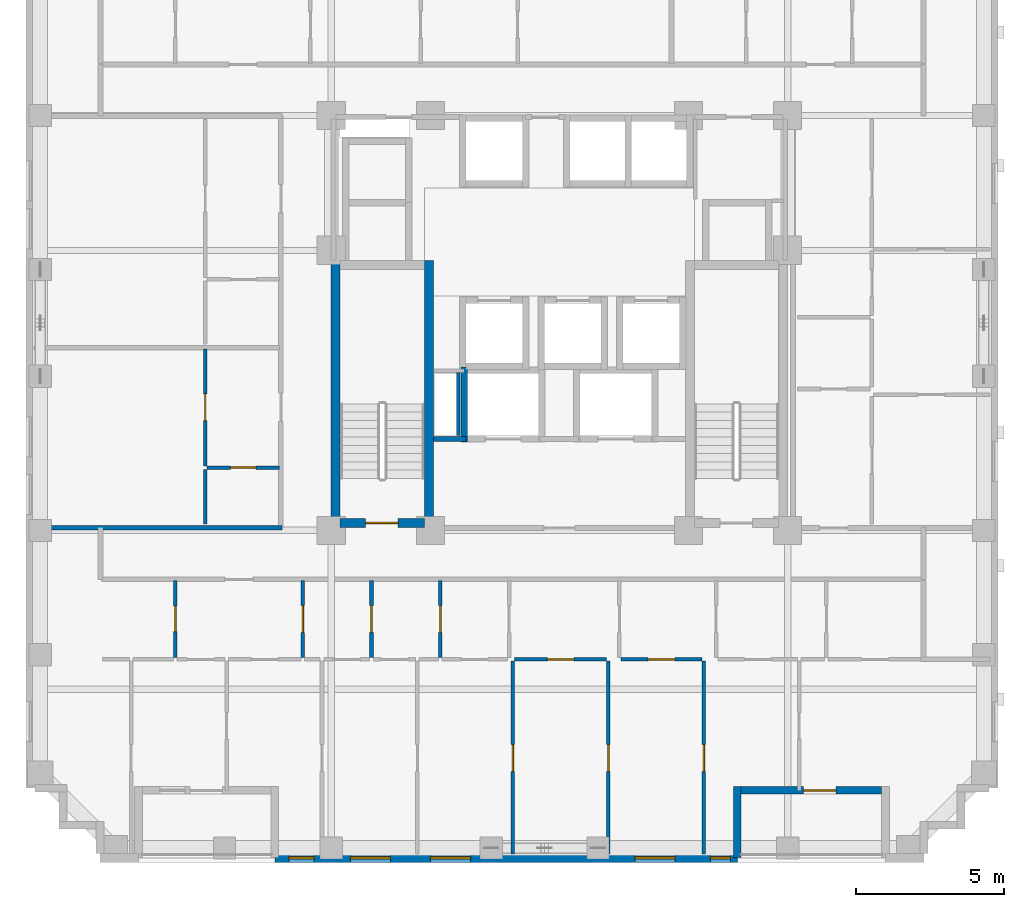
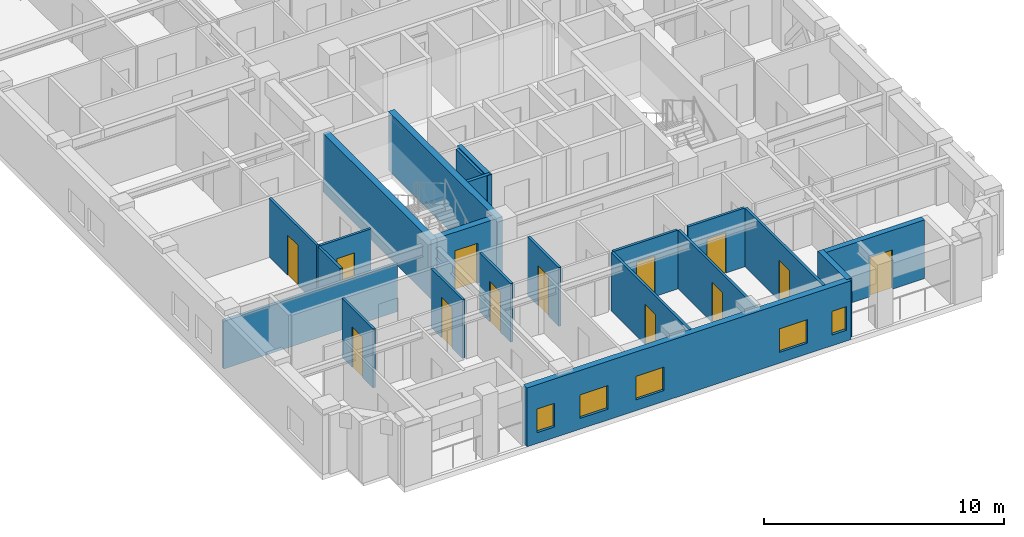
# One storey, part 3 of 12: 22 walls, 13 doors, 5 windows, 18 openings.
"""IFC4 building model written with IfcOpenShell, lengths in metres."""

from ifc_helpers import new_model, si_unit, derived_unit, direction, frame, frame_2d, origin, place, context, subcontext, project, spatial, rectangle, extrude, material, layer, layer_set, type_object, element, fill, save


model = new_model("IFC4")

# Units and contexts
model_context = context("Model", 3, precision=1e-05, world=origin(), true_north=direction((0.0, 1.0)))
body_context = subcontext(model_context, "Body", "Model", "MODEL_VIEW")
ifc_project = project(units=[si_unit("LENGTHUNIT", "METRE"), si_unit("AREAUNIT", "SQUARE_METRE"), si_unit("VOLUMEUNIT", "CUBIC_METRE"), si_unit("PLANEANGLEUNIT", "RADIAN"), si_unit("MASSUNIT", "GRAM", prefix="KILO"), derived_unit("THERMALTRANSMITTANCEUNIT", [(si_unit("MASSUNIT", "GRAM", prefix="KILO"), 1), (si_unit("TIMEUNIT", "SECOND"), -3), (si_unit("THERMODYNAMICTEMPERATUREUNIT", "KELVIN"), -1)])], contexts=[model_context])

# Site, building, storey
site_placement = place(None, origin())
site = spatial("IfcSite", under=ifc_project, at=site_placement, CompositionType="ELEMENT")
building_placement = place(site_placement, origin())
building = spatial("IfcBuilding", under=site, at=building_placement, Name="Korrvale Station Residences", CompositionType="ELEMENT")
storey_placement = place(building_placement, frame((0.0, 0.0, 127.64990234375)))
storey = spatial("IfcBuildingStorey", under=building, at=storey_placement, Name="L36", CompositionType="ELEMENT", Elevation=127.64990234375)

# Walls
ifc_material_1 = material(Name="Concrete C60/75", Category="concrete")
ifc_layer_1 = layer(ifc_material_1, 0.300048828125, Name="Concrete C60/75")
ifc_layer_set_1 = layer_set([ifc_layer_1], Name="Concrete C60/75")
wall_type_1 = type_object("IfcWallType", Name="WAL-CORE-300-C60", PredefinedType="SHEAR", material=ifc_layer_set_1)
for number, where, z_axis, x_axis, name in (
    (1, (17.949951171875, 15.10009765625, 0.0), (0.0, 0.0, 1.0), (0.0, 1.0, 0.0), "L36 ST-1 Core Shear Wall West"),
    (2, (21.10009765625, 15.10009765625, 0.0), (0.0, 0.0, 1.0), (0.0, 1.0, 0.0), "L36 ST-1 Core Shear Wall East"),
):
    element("IfcWall", number, at=place(storey_placement, frame(where, z_axis=z_axis, x_axis=x_axis)), inside=storey, type_object=wall_type_1, Name=name, PredefinedType="SHEAR", context=body_context, shape_type="SweptSolid", body=[
        extrude(rectangle(XDim=9.0, YDim=0.300048828125, at=frame_2d((4.5, 0.0))), origin(), (0.0, 0.0, 1.0), 2.989990234375),
    ])

# Wall, opening, door
wall_1_placement = place(storey_placement, frame((18.10009765625, 15.25, 0.0), z_axis=(0.0, 0.0, 1.0), x_axis=(1.0, 0.0, 0.0)))
wall_1 = element("IfcWall", 3, at=wall_1_placement, inside=storey, type_object=wall_type_1, Name="L36 ST-1 Core Shear Wall South", PredefinedType="SHEAR", context=body_context, shape_type="SweptSolid", body=[
    extrude(rectangle(XDim=2.849853515625, YDim=0.300048828125, at=frame_2d((1.4248046875, 0.0))), origin(), (0.0, 0.0, 1.0), 2.989990234375),
])
opening_1_placement = place(wall_1_placement, frame((0.860107421875, 0.0, 0.0)))
opening_1 = element("IfcOpeningElement", 4, at=opening_1_placement, cuts=wall_1, Name="Opening SD-1100", PredefinedType="OPENING", context=body_context, shape_type="SweptSolid", body=[
    extrude(rectangle(XDim=1.10009765625, YDim=2.050048828125, at=frame_2d((0.550048828125, 1.02490234375))), frame((0.0, 0.16015625, 0.0), z_axis=(0.0, -1.0, 0.0), x_axis=(1.0, 0.0, 0.0)), (0.0, 0.0, 1.0), 0.320068359375),
])
ifc_material_2 = material(Name="Hollow-metal fire-rated stair door with closer", Category="steel")
door_type_1 = type_object("IfcDoorType", Name="DR-STAIR-1100", OperationType="NOTDEFINED", PredefinedType="DOOR", material=ifc_material_2)
door_1_placement = place(opening_1_placement, origin())
door_1 = element("IfcDoor", 5, at=door_1_placement, inside=storey, type_object=door_type_1, Name="L36 ST-1 Exit Stair Door", OperationType="SINGLE_SWING_LEFT", OverallHeight=2.050048828125, OverallWidth=1.10009765625, PredefinedType="DOOR", context=body_context, shape_type="SweptSolid", body=[
    extrude(rectangle(XDim=1.10009765625, YDim=2.050048828125, at=frame_2d((0.550048828125, 1.02490234375))), frame((0.0, 0.02490234375, 0.0), z_axis=(0.0, -1.0, 0.0), x_axis=(1.0, 0.0, 0.0)), (0.0, 0.0, 1.0), 0.050048828125),
])
fill(opening_1, door_1)

ifc_material_3 = material(Name="Precast concrete C45/55", Category="concrete")
ifc_layer_2 = layer(ifc_material_3, 0.260009765625, Name="Precast concrete C45/55")
ifc_layer_set_2 = layer_set([ifc_layer_2], Name="Precast concrete C45/55")
wall_type_2 = type_object("IfcWallType", Name="WAL-EXT-LOG260", PredefinedType="SOLIDWALL", material=ifc_layer_set_2)
wall_2_placement = place(storey_placement, frame((36.365966796875, 6.22998046875, 0.0), z_axis=(0.0, 0.0, 1.0), x_axis=(-1.0, 0.0, 0.0)))
wall_2 = element("IfcWall", 6, at=wall_2_placement, inside=storey, type_object=wall_type_2, Name="L36 Recessed Loggia Wall BAL-L36-S2-B", PredefinedType="SOLIDWALL", context=body_context, shape_type="SweptSolid", body=[
    extrude(rectangle(XDim=4.73193359375, YDim=0.260009765625, at=frame_2d((2.365966796875, 0.0))), origin(), (0.0, 0.0, 1.0), 2.989990234375),
])
opening_2_placement = place(wall_2_placement, frame((1.535888671875, 0.0, 0.0)))
opening_2 = element("IfcOpeningElement", 7, at=opening_2_placement, cuts=wall_2, Name="Opening BD-01", PredefinedType="OPENING", context=body_context, shape_type="SweptSolid", body=[
    extrude(rectangle(XDim=1.10009765625, YDim=2.0, at=frame_2d((0.550048828125, 1.0))), frame((0.0, 0.14013671875, 0.0), z_axis=(0.0, -1.0, 0.0), x_axis=(1.0, 0.0, 0.0)), (0.0, 0.0, 1.0), 0.280029296875),
])
ifc_material_4 = material(Name="Exterior thermally broken aluminium glazed balcony door", Category="aluminium")
door_type_2 = type_object("IfcDoorType", Name="DR-EXT-BAL", OperationType="NOTDEFINED", PredefinedType="DOOR", material=ifc_material_4)
door_2_placement = place(opening_2_placement, origin())
door_2 = element("IfcDoor", 8, at=door_2_placement, inside=storey, type_object=door_type_2, Name="L36 Loggia Balcony Door BAL-L36-S2", OperationType="SINGLE_SWING_LEFT", OverallHeight=2.0, OverallWidth=1.10009765625, PredefinedType="DOOR", context=body_context, shape_type="SweptSolid", body=[
    extrude(rectangle(XDim=1.10009765625, YDim=2.0, at=frame_2d((0.550048828125, 1.0))), frame((0.0, 0.02490234375, 0.0), z_axis=(0.0, -1.0, 0.0), x_axis=(1.0, 0.0, 0.0)), (0.0, 0.0, 1.0), 0.050048828125),
])
fill(opening_2, door_2)

# Wall
wall_3_placement = place(storey_placement, frame((31.5, 6.360107421875, 0.0), z_axis=(0.0, 0.0, 1.0), x_axis=(0.0, -1.0, 0.0)))
element("IfcWall", 9, at=wall_3_placement, inside=storey, type_object=wall_type_2, Name="L36 Recessed Loggia Wall BAL-L36-S2-R", PredefinedType="SOLIDWALL", context=body_context, shape_type="SweptSolid", body=[
    extrude(rectangle(XDim=2.400146484375, YDim=0.260009765625, at=frame_2d((1.2001953125, 0.0))), origin(), (0.0, 0.0, 1.0), 2.989990234375),
])

# Wall, openings, windows
ifc_layer_3 = layer(ifc_material_3, 0.300048828125, Name="Precast concrete C45/55")
ifc_layer_set_3 = layer_set([ifc_layer_3], Name="Precast concrete C45/55")
wall_type_3 = type_object("IfcWallType", Name="WAL-EXT-PC300", PredefinedType="SOLIDWALL", material=ifc_layer_set_3)
wall_4_placement = place(storey_placement, frame((31.5, 3.949951171875, 0.0), z_axis=(0.0, 0.0, 1.0), x_axis=(-1.0, 0.0, 0.0)))
wall_4 = element("IfcWall", 10, at=wall_4_placement, inside=storey, type_object=wall_type_3, Name="L36 South Exterior Precast Wall 2", PredefinedType="SOLIDWALL", context=body_context, shape_type="SweptSolid", body=[
    extrude(rectangle(XDim=15.60009765625, YDim=0.300048828125, at=frame_2d((7.800048828125, 0.0))), origin(), (0.0, 0.0, 1.0), 2.989990234375),
])
opening_3_placement = place(wall_4_placement, frame((14.27490234375, 0.0, 0.550048828125)))
opening_3 = element("IfcOpeningElement", 11, at=opening_3_placement, cuts=wall_4, Name="Opening W-11", PredefinedType="OPENING", context=body_context, shape_type="SweptSolid", body=[
    extrude(rectangle(XDim=0.85009765625, YDim=1.199951171875, at=frame_2d((0.425048828125, 0.60009765625))), frame((0.0, 0.16015625, 0.0), z_axis=(0.0, -1.0, 0.0), x_axis=(1.0, 0.0, 0.0)), (0.0, 0.0, 1.0), 0.320068359375),
])
opening_4_placement = place(wall_4_placement, frame((11.699951171875, 0.0, 0.550048828125)))
opening_4 = element("IfcOpeningElement", 12, at=opening_4_placement, cuts=wall_4, Name="Opening W-10", PredefinedType="OPENING", context=body_context, shape_type="SweptSolid", body=[
    extrude(rectangle(XDim=1.35009765625, YDim=1.199951171875, at=frame_2d((0.675048828125, 0.60009765625))), frame((0.0, 0.16015625, 0.0), z_axis=(0.0, -1.0, 0.0), x_axis=(1.0, 0.0, 0.0)), (0.0, 0.0, 1.0), 0.320068359375),
])
opening_5_placement = place(wall_4_placement, frame((9.0, 0.0, 0.550048828125)))
opening_5 = element("IfcOpeningElement", 13, at=opening_5_placement, cuts=wall_4, Name="Opening W-10", PredefinedType="OPENING", context=body_context, shape_type="SweptSolid", body=[
    extrude(rectangle(XDim=1.35009765625, YDim=1.199951171875, at=frame_2d((0.675048828125, 0.60009765625))), frame((0.0, 0.16015625, 0.0), z_axis=(0.0, -1.0, 0.0), x_axis=(1.0, 0.0, 0.0)), (0.0, 0.0, 1.0), 0.320068359375),
])
opening_6_placement = place(wall_4_placement, frame((2.10009765625, 0.0, 0.550048828125)))
opening_6 = element("IfcOpeningElement", 14, at=opening_6_placement, cuts=wall_4, Name="Opening W-10", PredefinedType="OPENING", context=body_context, shape_type="SweptSolid", body=[
    extrude(rectangle(XDim=1.35009765625, YDim=1.199951171875, at=frame_2d((0.675048828125, 0.60009765625))), frame((0.0, 0.16015625, 0.0), z_axis=(0.0, -1.0, 0.0), x_axis=(1.0, 0.0, 0.0)), (0.0, 0.0, 1.0), 0.320068359375),
])
opening_7_placement = place(wall_4_placement, frame((0.22998046875, 0.0, 0.550048828125)))
opening_7 = element("IfcOpeningElement", 15, at=opening_7_placement, cuts=wall_4, Name="Opening W-12", PredefinedType="OPENING", context=body_context, shape_type="SweptSolid", body=[
    extrude(rectangle(XDim=0.679931640625, YDim=1.199951171875, at=frame_2d((0.33984375, 0.60009765625))), frame((0.0, 0.16015625, 0.0), z_axis=(0.0, -1.0, 0.0), x_axis=(1.0, 0.0, 0.0)), (0.0, 0.0, 1.0), 0.320068359375),
])
ifc_material_5 = material(Name="Thermally broken aluminium frame with triple low-e glazing", Category="aluminium")
window_type_1 = type_object("IfcWindowType", Name="WIN-W10", PartitioningType="SINGLE_PANEL", PredefinedType="WINDOW", material=ifc_material_5)
window_1_placement = place(opening_4_placement, origin())
window_1 = element("IfcWindow", 16, at=window_1_placement, inside=storey, type_object=window_type_1, Name="L36 Punched Window 04", OverallHeight=1.199951171875, OverallWidth=1.35009765625, PartitioningType="SINGLE_PANEL", PredefinedType="WINDOW", context=body_context, shape_type="SweptSolid", body=[
    extrude(rectangle(XDim=1.35009765625, YDim=1.199951171875, at=frame_2d((0.675048828125, 0.60009765625))), frame((0.0, 0.030029296875, 0.0), z_axis=(0.0, -1.0, 0.0), x_axis=(1.0, 0.0, 0.0)), (0.0, 0.0, 1.0), 0.06005859375),
])
fill(opening_4, window_1)
window_2_placement = place(opening_5_placement, origin())
window_2 = element("IfcWindow", 17, at=window_2_placement, inside=storey, type_object=window_type_1, Name="L36 Punched Window 05", OverallHeight=1.199951171875, OverallWidth=1.35009765625, PartitioningType="SINGLE_PANEL", PredefinedType="WINDOW", context=body_context, shape_type="SweptSolid", body=[
    extrude(rectangle(XDim=1.35009765625, YDim=1.199951171875, at=frame_2d((0.675048828125, 0.60009765625))), frame((0.0, 0.030029296875, 0.0), z_axis=(0.0, -1.0, 0.0), x_axis=(1.0, 0.0, 0.0)), (0.0, 0.0, 1.0), 0.06005859375),
])
fill(opening_5, window_2)
window_3_placement = place(opening_6_placement, origin())
window_3 = element("IfcWindow", 18, at=window_3_placement, inside=storey, type_object=window_type_1, Name="L36 Punched Window 06", OverallHeight=1.199951171875, OverallWidth=1.35009765625, PartitioningType="SINGLE_PANEL", PredefinedType="WINDOW", context=body_context, shape_type="SweptSolid", body=[
    extrude(rectangle(XDim=1.35009765625, YDim=1.199951171875, at=frame_2d((0.675048828125, 0.60009765625))), frame((0.0, 0.030029296875, 0.0), z_axis=(0.0, -1.0, 0.0), x_axis=(1.0, 0.0, 0.0)), (0.0, 0.0, 1.0), 0.06005859375),
])
fill(opening_6, window_3)
window_type_2 = type_object("IfcWindowType", Name="WIN-W11", PartitioningType="SINGLE_PANEL", PredefinedType="WINDOW", material=ifc_material_5)
window_4_placement = place(opening_3_placement, origin())
window_4 = element("IfcWindow", 19, at=window_4_placement, inside=storey, type_object=window_type_2, Name="L36 Punched Window 03", OverallHeight=1.199951171875, OverallWidth=0.85009765625, PartitioningType="SINGLE_PANEL", PredefinedType="WINDOW", context=body_context, shape_type="SweptSolid", body=[
    extrude(rectangle(XDim=0.85009765625, YDim=1.199951171875, at=frame_2d((0.425048828125, 0.60009765625))), frame((0.0, 0.030029296875, 0.0), z_axis=(0.0, -1.0, 0.0), x_axis=(1.0, 0.0, 0.0)), (0.0, 0.0, 1.0), 0.06005859375),
])
fill(opening_3, window_4)
window_type_3 = type_object("IfcWindowType", Name="WIN-W12", PartitioningType="SINGLE_PANEL", PredefinedType="WINDOW", material=ifc_material_5)
window_5_placement = place(opening_7_placement, origin())
window_5 = element("IfcWindow", 20, at=window_5_placement, inside=storey, type_object=window_type_3, Name="L36 Punched Window 07", OverallHeight=1.199951171875, OverallWidth=0.679931640625, PartitioningType="SINGLE_PANEL", PredefinedType="WINDOW", context=body_context, shape_type="SweptSolid", body=[
    extrude(rectangle(XDim=0.679931640625, YDim=1.199951171875, at=frame_2d((0.33984375, 0.60009765625))), frame((0.0, 0.030029296875, 0.0), z_axis=(0.0, -1.0, 0.0), x_axis=(1.0, 0.0, 0.0)), (0.0, 0.0, 1.0), 0.06005859375),
])
fill(opening_7, window_5)

# Wall
ifc_material_6 = material(Name="Acoustic steel-stud gypsum board partition", Category="steel")
ifc_layer_4 = layer(ifc_material_6, 0.1201171875, Name="Acoustic steel-stud gypsum board partition")
ifc_layer_set_4 = layer_set([ifc_layer_4], Name="Acoustic steel-stud gypsum board partition")
wall_type_4 = type_object("IfcWallType", Name="WAL-PART-125", PredefinedType="PARTITIONING", material=ifc_layer_set_4)
wall_5_placement = place(storey_placement, frame((22.080078125, 18.199951171875, 0.0), z_axis=(0.0, 0.0, 1.0), x_axis=(0.0, 1.0, 0.0)))
element("IfcWall", 21, at=wall_5_placement, inside=storey, type_object=wall_type_4, Name="L36 Core Partition CW-RSWT", PredefinedType="PARTITIONING", context=body_context, shape_type="SweptSolid", body=[
    extrude(rectangle(XDim=2.1201171875, YDim=0.1201171875, at=frame_2d((1.06005859375, 0.0))), origin(), (0.0, 0.0, 1.0), 2.989990234375),
])

# Wall, opening, door
wall_6_placement = place(storey_placement, frame((12.5400390625, 10.7099609375, 0.0), z_axis=(0.0, 0.0, 1.0), x_axis=(0.0, 1.0, 0.0)))
wall_6 = element("IfcWall", 22, at=wall_6_placement, inside=storey, type_object=wall_type_4, Name="L36 Suite Partition U01-V01", PredefinedType="PARTITIONING", context=body_context, shape_type="SweptSolid", body=[
    extrude(rectangle(XDim=2.60009765625, YDim=0.1201171875, at=frame_2d((1.300048828125, 0.0))), origin(), (0.0, 0.0, 1.0), 2.989990234375),
])
opening_8_placement = place(wall_6_placement, frame((0.8701171875, 0.0, 0.0)))
opening_8 = element("IfcOpeningElement", 23, at=opening_8_placement, cuts=wall_6, Name="Opening DB-860", PredefinedType="OPENING", context=body_context, shape_type="SweptSolid", body=[
    extrude(rectangle(XDim=0.860107421875, YDim=2.050048828125, at=frame_2d((0.43017578125, 1.02490234375))), frame((0.0, 0.070068359375, 0.0), z_axis=(0.0, -1.0, 0.0), x_axis=(1.0, 0.0, 0.0)), (0.0, 0.0, 1.0), 0.14013671875),
])
ifc_material_7 = material(Name="Moisture-resistant solid-core bathroom door", Category="timber")
door_type_3 = type_object("IfcDoorType", Name="DR-BATH-860", OperationType="NOTDEFINED", PredefinedType="DOOR", material=ifc_material_7)
door_3_placement = place(opening_8_placement, origin())
door_3 = element("IfcDoor", 24, at=door_3_placement, inside=storey, type_object=door_type_3, Name="L36 Studio Apartment L36-U01 Bathroom Door", OperationType="SINGLE_SWING_RIGHT", OverallHeight=2.050048828125, OverallWidth=0.860107421875, PredefinedType="DOOR", context=body_context, shape_type="SweptSolid", body=[
    extrude(rectangle(XDim=0.860107421875, YDim=2.050048828125, at=frame_2d((0.43017578125, 1.02490234375))), frame((0.0, 0.02490234375, 0.0), z_axis=(0.0, -1.0, 0.0), x_axis=(1.0, 0.0, 0.0)), (0.0, 0.0, 1.0), 0.050048828125),
])
fill(opening_8, door_3)

wall_7_placement = place(storey_placement, frame((16.840087890625, 10.7099609375, 0.0), z_axis=(0.0, 0.0, 1.0), x_axis=(0.0, 1.0, 0.0)))
wall_7 = element("IfcWall", 25, at=wall_7_placement, inside=storey, type_object=wall_type_4, Name="L36 Suite Partition U01-V12", PredefinedType="PARTITIONING", context=body_context, shape_type="SweptSolid", body=[
    extrude(rectangle(XDim=2.60009765625, YDim=0.1201171875, at=frame_2d((1.300048828125, 0.0))), origin(), (0.0, 0.0, 1.0), 2.989990234375),
])
opening_9_placement = place(wall_7_placement, frame((0.85009765625, 0.0, 0.0)))
opening_9 = element("IfcOpeningElement", 26, at=opening_9_placement, cuts=wall_7, Name="Opening DI-900", PredefinedType="OPENING", context=body_context, shape_type="SweptSolid", body=[
    extrude(rectangle(XDim=0.89990234375, YDim=2.050048828125, at=frame_2d((0.449951171875, 1.02490234375))), frame((0.0, 0.070068359375, 0.0), z_axis=(0.0, -1.0, 0.0), x_axis=(1.0, 0.0, 0.0)), (0.0, 0.0, 1.0), 0.14013671875),
])
ifc_material_8 = material(Name="Painted solid-core timber interior room door", Category="wood")
door_type_4 = type_object("IfcDoorType", Name="DR-INT-900", OperationType="NOTDEFINED", PredefinedType="DOOR", material=ifc_material_8)
door_4_placement = place(opening_9_placement, origin())
door_4 = element("IfcDoor", 27, at=door_4_placement, inside=storey, type_object=door_type_4, Name="L36 Studio Apartment L36-U01 Kitchen Door", OperationType="SINGLE_SWING_LEFT", OverallHeight=2.050048828125, OverallWidth=0.89990234375, PredefinedType="DOOR", context=body_context, shape_type="SweptSolid", body=[
    extrude(rectangle(XDim=0.89990234375, YDim=2.050048828125, at=frame_2d((0.449951171875, 1.02490234375))), frame((0.0, 0.02490234375, 0.0), z_axis=(0.0, -1.0, 0.0), x_axis=(1.0, 0.0, 0.0)), (0.0, 0.0, 1.0), 0.050048828125),
])
fill(opening_9, door_4)

wall_8_placement = place(storey_placement, frame((19.159912109375, 10.7099609375, 0.0), z_axis=(0.0, 0.0, 1.0), x_axis=(0.0, 1.0, 0.0)))
wall_8 = element("IfcWall", 28, at=wall_8_placement, inside=storey, type_object=wall_type_4, Name="L36 Suite Partition U01-V23", PredefinedType="PARTITIONING", context=body_context, shape_type="SweptSolid", body=[
    extrude(rectangle(XDim=2.60009765625, YDim=0.1201171875, at=frame_2d((1.300048828125, 0.0))), origin(), (0.0, 0.0, 1.0), 2.989990234375),
])
opening_10_placement = place(wall_8_placement, frame((0.85009765625, 0.0, 0.0)))
opening_10 = element("IfcOpeningElement", 29, at=opening_10_placement, cuts=wall_8, Name="Opening DI-900", PredefinedType="OPENING", context=body_context, shape_type="SweptSolid", body=[
    extrude(rectangle(XDim=0.89990234375, YDim=2.050048828125, at=frame_2d((0.449951171875, 1.02490234375))), frame((0.0, 0.070068359375, 0.0), z_axis=(0.0, -1.0, 0.0), x_axis=(1.0, 0.0, 0.0)), (0.0, 0.0, 1.0), 0.14013671875),
])
door_5_placement = place(opening_10_placement, origin())
door_5 = element("IfcDoor", 30, at=door_5_placement, inside=storey, type_object=door_type_4, Name="L36 Studio Apartment L36-U01 Wardrobe Storage Room Door", OperationType="SINGLE_SWING_RIGHT", OverallHeight=2.050048828125, OverallWidth=0.89990234375, PredefinedType="DOOR", context=body_context, shape_type="SweptSolid", body=[
    extrude(rectangle(XDim=0.89990234375, YDim=2.050048828125, at=frame_2d((0.449951171875, 1.02490234375))), frame((0.0, 0.02490234375, 0.0), z_axis=(0.0, -1.0, 0.0), x_axis=(1.0, 0.0, 0.0)), (0.0, 0.0, 1.0), 0.050048828125),
])
fill(opening_10, door_5)

wall_9_placement = place(storey_placement, frame((21.47998046875, 10.7099609375, 0.0), z_axis=(0.0, 0.0, 1.0), x_axis=(0.0, 1.0, 0.0)))
wall_9 = element("IfcWall", 31, at=wall_9_placement, inside=storey, type_object=wall_type_4, Name="L36 Suite Partition U01-V34", PredefinedType="PARTITIONING", context=body_context, shape_type="SweptSolid", body=[
    extrude(rectangle(XDim=2.60009765625, YDim=0.1201171875, at=frame_2d((1.300048828125, 0.0))), origin(), (0.0, 0.0, 1.0), 2.989990234375),
])
opening_11_placement = place(wall_9_placement, frame((0.85009765625, 0.0, 0.0)))
opening_11 = element("IfcOpeningElement", 32, at=opening_11_placement, cuts=wall_9, Name="Opening DI-900", PredefinedType="OPENING", context=body_context, shape_type="SweptSolid", body=[
    extrude(rectangle(XDim=0.89990234375, YDim=2.050048828125, at=frame_2d((0.449951171875, 1.02490234375))), frame((0.0, 0.070068359375, 0.0), z_axis=(0.0, -1.0, 0.0), x_axis=(1.0, 0.0, 0.0)), (0.0, 0.0, 1.0), 0.14013671875),
])
door_6_placement = place(opening_11_placement, origin())
door_6 = element("IfcDoor", 33, at=door_6_placement, inside=storey, type_object=door_type_4, Name="L36 Studio Apartment L36-U01 Wardrobe Storage Room Door", OperationType="SINGLE_SWING_RIGHT", OverallHeight=2.050048828125, OverallWidth=0.89990234375, PredefinedType="DOOR", context=body_context, shape_type="SweptSolid", body=[
    extrude(rectangle(XDim=0.89990234375, YDim=2.050048828125, at=frame_2d((0.449951171875, 1.02490234375))), frame((0.0, 0.02490234375, 0.0), z_axis=(0.0, -1.0, 0.0), x_axis=(1.0, 0.0, 0.0)), (0.0, 0.0, 1.0), 0.050048828125),
])
fill(opening_11, door_6)

wall_10_placement = place(storey_placement, frame((23.989990234375, 10.64990234375, 0.0), z_axis=(0.0, 0.0, 1.0), x_axis=(1.0, 0.0, 0.0)))
wall_10 = element("IfcWall", 34, at=wall_10_placement, inside=storey, type_object=wall_type_4, Name="L36 Suite Partition U01-H514", PredefinedType="PARTITIONING", context=body_context, shape_type="SweptSolid", body=[
    extrude(rectangle(XDim=3.10009765625, YDim=0.1201171875, at=frame_2d((1.550048828125, 0.0))), origin(), (0.0, 0.0, 1.0), 2.989990234375),
])
opening_12_placement = place(wall_10_placement, frame((1.10009765625, 0.0, 0.0)))
opening_12 = element("IfcOpeningElement", 35, at=opening_12_placement, cuts=wall_10, Name="Opening DI-900", PredefinedType="OPENING", context=body_context, shape_type="SweptSolid", body=[
    extrude(rectangle(XDim=0.89990234375, YDim=2.050048828125, at=frame_2d((0.449951171875, 1.02490234375))), frame((0.0, 0.070068359375, 0.0), z_axis=(0.0, -1.0, 0.0), x_axis=(1.0, 0.0, 0.0)), (0.0, 0.0, 1.0), 0.14013671875),
])
door_7_placement = place(opening_12_placement, origin())
door_7 = element("IfcDoor", 36, at=door_7_placement, inside=storey, type_object=door_type_4, Name="L36 Studio Apartment L36-U01 Utility and Laundry Room Door", OperationType="SINGLE_SWING_LEFT", OverallHeight=2.050048828125, OverallWidth=0.89990234375, PredefinedType="DOOR", context=body_context, shape_type="SweptSolid", body=[
    extrude(rectangle(XDim=0.89990234375, YDim=2.050048828125, at=frame_2d((0.449951171875, 1.02490234375))), frame((0.0, 0.02490234375, 0.0), z_axis=(0.0, -1.0, 0.0), x_axis=(1.0, 0.0, 0.0)), (0.0, 0.0, 1.0), 0.050048828125),
])
fill(opening_12, door_7)

wall_11_placement = place(storey_placement, frame((27.580078125, 10.64990234375, 0.0), z_axis=(0.0, 0.0, 1.0), x_axis=(1.0, 0.0, 0.0)))
wall_11 = element("IfcWall", 37, at=wall_11_placement, inside=storey, type_object=wall_type_4, Name="L36 Suite Partition U01-H615", PredefinedType="PARTITIONING", context=body_context, shape_type="SweptSolid", body=[
    extrude(rectangle(XDim=2.72998046875, YDim=0.1201171875, at=frame_2d((1.364990234375, 0.0))), origin(), (0.0, 0.0, 1.0), 2.989990234375),
])
opening_13_placement = place(wall_11_placement, frame((0.9150390625, 0.0, 0.0)))
opening_13 = element("IfcOpeningElement", 38, at=opening_13_placement, cuts=wall_11, Name="Opening DI-900", PredefinedType="OPENING", context=body_context, shape_type="SweptSolid", body=[
    extrude(rectangle(XDim=0.89990234375, YDim=2.050048828125, at=frame_2d((0.449951171875, 1.02490234375))), frame((0.0, 0.070068359375, 0.0), z_axis=(0.0, -1.0, 0.0), x_axis=(1.0, 0.0, 0.0)), (0.0, 0.0, 1.0), 0.14013671875),
])
door_8_placement = place(opening_13_placement, origin())
door_8 = element("IfcDoor", 39, at=door_8_placement, inside=storey, type_object=door_type_4, Name="L36 Studio Apartment L36-U01 Storage Closet 2 Door", OperationType="SINGLE_SWING_LEFT", OverallHeight=2.050048828125, OverallWidth=0.89990234375, PredefinedType="DOOR", context=body_context, shape_type="SweptSolid", body=[
    extrude(rectangle(XDim=0.89990234375, YDim=2.050048828125, at=frame_2d((0.449951171875, 1.02490234375))), frame((0.0, 0.02490234375, 0.0), z_axis=(0.0, -1.0, 0.0), x_axis=(1.0, 0.0, 0.0)), (0.0, 0.0, 1.0), 0.050048828125),
])
fill(opening_13, door_8)

wall_12_placement = place(storey_placement, frame((23.929931640625, 4.080078125, 0.0), z_axis=(0.0, 0.0, 1.0), x_axis=(0.0, 1.0, 0.0)))
wall_12 = element("IfcWall", 40, at=wall_12_placement, inside=storey, type_object=wall_type_4, Name="L36 Suite Partition U01-V1314", PredefinedType="PARTITIONING", context=body_context, shape_type="SweptSolid", body=[
    extrude(rectangle(XDim=6.510009765625, YDim=0.1201171875, at=frame_2d((3.2548828125, 0.0))), origin(), (0.0, 0.0, 1.0), 2.989990234375),
])
opening_14_placement = place(wall_12_placement, frame((2.7900390625, 0.0, 0.0)))
opening_14 = element("IfcOpeningElement", 41, at=opening_14_placement, cuts=wall_12, Name="Opening DI-900", PredefinedType="OPENING", context=body_context, shape_type="SweptSolid", body=[
    extrude(rectangle(XDim=0.89990234375, YDim=2.050048828125, at=frame_2d((0.449951171875, 1.02490234375))), frame((0.0, 0.070068359375, 0.0), z_axis=(0.0, -1.0, 0.0), x_axis=(1.0, 0.0, 0.0)), (0.0, 0.0, 1.0), 0.14013671875),
])
door_9_placement = place(opening_14_placement, origin())
door_9 = element("IfcDoor", 42, at=door_9_placement, inside=storey, type_object=door_type_4, Name="L36 Studio Apartment L36-U01 Formal Dining Room Door", OperationType="SINGLE_SWING_LEFT", OverallHeight=2.050048828125, OverallWidth=0.89990234375, PredefinedType="DOOR", context=body_context, shape_type="SweptSolid", body=[
    extrude(rectangle(XDim=0.89990234375, YDim=2.050048828125, at=frame_2d((0.449951171875, 1.02490234375))), frame((0.0, 0.02490234375, 0.0), z_axis=(0.0, -1.0, 0.0), x_axis=(1.0, 0.0, 0.0)), (0.0, 0.0, 1.0), 0.050048828125),
])
fill(opening_14, door_9)

wall_13_placement = place(storey_placement, frame((27.14990234375, 4.080078125, 0.0), z_axis=(0.0, 0.0, 1.0), x_axis=(0.0, 1.0, 0.0)))
wall_13 = element("IfcWall", 43, at=wall_13_placement, inside=storey, type_object=wall_type_4, Name="L36 Suite Partition U01-V1415", PredefinedType="PARTITIONING", context=body_context, shape_type="SweptSolid", body=[
    extrude(rectangle(XDim=6.510009765625, YDim=0.1201171875, at=frame_2d((3.2548828125, 0.0))), origin(), (0.0, 0.0, 1.0), 2.989990234375),
])
opening_15_placement = place(wall_13_placement, frame((2.7900390625, 0.0, 0.0)))
opening_15 = element("IfcOpeningElement", 44, at=opening_15_placement, cuts=wall_13, Name="Opening DI-900", PredefinedType="OPENING", context=body_context, shape_type="SweptSolid", body=[
    extrude(rectangle(XDim=0.89990234375, YDim=2.050048828125, at=frame_2d((0.449951171875, 1.02490234375))), frame((0.0, 0.070068359375, 0.0), z_axis=(0.0, -1.0, 0.0), x_axis=(1.0, 0.0, 0.0)), (0.0, 0.0, 1.0), 0.14013671875),
])
door_10_placement = place(opening_15_placement, origin())
door_10 = element("IfcDoor", 45, at=door_10_placement, inside=storey, type_object=door_type_4, Name="L36 Studio Apartment L36-U01 Walk-In Wardrobe Door", OperationType="SINGLE_SWING_RIGHT", OverallHeight=2.050048828125, OverallWidth=0.89990234375, PredefinedType="DOOR", context=body_context, shape_type="SweptSolid", body=[
    extrude(rectangle(XDim=0.89990234375, YDim=2.050048828125, at=frame_2d((0.449951171875, 1.02490234375))), frame((0.0, 0.02490234375, 0.0), z_axis=(0.0, -1.0, 0.0), x_axis=(1.0, 0.0, 0.0)), (0.0, 0.0, 1.0), 0.050048828125),
])
fill(opening_15, door_10)

wall_14_placement = place(storey_placement, frame((30.3701171875, 4.080078125, 0.0), z_axis=(0.0, 0.0, 1.0), x_axis=(0.0, 1.0, 0.0)))
wall_14 = element("IfcWall", 46, at=wall_14_placement, inside=storey, type_object=wall_type_4, Name="L36 Suite Partition U01-V1516", PredefinedType="PARTITIONING", context=body_context, shape_type="SweptSolid", body=[
    extrude(rectangle(XDim=6.510009765625, YDim=0.1201171875, at=frame_2d((3.2548828125, 0.0))), origin(), (0.0, 0.0, 1.0), 2.989990234375),
])
opening_16_placement = place(wall_14_placement, frame((2.7900390625, 0.0, 0.0)))
opening_16 = element("IfcOpeningElement", 47, at=opening_16_placement, cuts=wall_14, Name="Opening DI-900", PredefinedType="OPENING", context=body_context, shape_type="SweptSolid", body=[
    extrude(rectangle(XDim=0.89990234375, YDim=2.050048828125, at=frame_2d((0.449951171875, 1.02490234375))), frame((0.0, 0.070068359375, 0.0), z_axis=(0.0, -1.0, 0.0), x_axis=(1.0, 0.0, 0.0)), (0.0, 0.0, 1.0), 0.14013671875),
])
door_11_placement = place(opening_16_placement, origin())
door_11 = element("IfcDoor", 48, at=door_11_placement, inside=storey, type_object=door_type_4, Name="L36 Studio Apartment L36-U01 Formal Dining Room Door", OperationType="SINGLE_SWING_LEFT", OverallHeight=2.050048828125, OverallWidth=0.89990234375, PredefinedType="DOOR", context=body_context, shape_type="SweptSolid", body=[
    extrude(rectangle(XDim=0.89990234375, YDim=2.050048828125, at=frame_2d((0.449951171875, 1.02490234375))), frame((0.0, 0.02490234375, 0.0), z_axis=(0.0, -1.0, 0.0), x_axis=(1.0, 0.0, 0.0)), (0.0, 0.0, 1.0), 0.050048828125),
])
fill(opening_16, door_11)

wall_15_placement = place(storey_placement, frame((13.610107421875, 17.1201171875, 0.0), z_axis=(0.0, 0.0, 1.0), x_axis=(1.0, 0.0, 0.0)))
wall_15 = element("IfcWall", 49, at=wall_15_placement, inside=storey, type_object=wall_type_4, Name="L36 Suite Partition U04-H01", PredefinedType="PARTITIONING", context=body_context, shape_type="SweptSolid", body=[
    extrude(rectangle(XDim=2.449951171875, YDim=0.1201171875, at=frame_2d((1.22509765625, 0.0))), origin(), (0.0, 0.0, 1.0), 2.989990234375),
])
opening_17_placement = place(wall_15_placement, frame((0.794921875, 0.0, 0.0)))
opening_17 = element("IfcOpeningElement", 50, at=opening_17_placement, cuts=wall_15, Name="Opening DB-860", PredefinedType="OPENING", context=body_context, shape_type="SweptSolid", body=[
    extrude(rectangle(XDim=0.860107421875, YDim=2.050048828125, at=frame_2d((0.43017578125, 1.02490234375))), frame((0.0, 0.070068359375, 0.0), z_axis=(0.0, -1.0, 0.0), x_axis=(1.0, 0.0, 0.0)), (0.0, 0.0, 1.0), 0.14013671875),
])
door_12_placement = place(opening_17_placement, origin())
door_12 = element("IfcDoor", 51, at=door_12_placement, inside=storey, type_object=door_type_3, Name="L36 Apartment 1BR L36-U04 Bathroom Door", OperationType="SINGLE_SWING_RIGHT", OverallHeight=2.050048828125, OverallWidth=0.860107421875, PredefinedType="DOOR", context=body_context, shape_type="SweptSolid", body=[
    extrude(rectangle(XDim=0.860107421875, YDim=2.050048828125, at=frame_2d((0.43017578125, 1.02490234375))), frame((0.0, 0.02490234375, 0.0), z_axis=(0.0, -1.0, 0.0), x_axis=(1.0, 0.0, 0.0)), (0.0, 0.0, 1.0), 0.050048828125),
])
fill(opening_17, door_12)

# Wall
wall_16_placement = place(storey_placement, frame((13.550048828125, 15.2099609375, 0.0), z_axis=(0.0, 0.0, 1.0), x_axis=(0.0, 1.0, 0.0)))
element("IfcWall", 52, at=wall_16_placement, inside=storey, type_object=wall_type_4, Name="L36 Suite Partition U04-V02", PredefinedType="PARTITIONING", context=body_context, shape_type="SweptSolid", body=[
    extrude(rectangle(XDim=1.85009765625, YDim=0.1201171875, at=frame_2d((0.925048828125, 0.0))), origin(), (0.0, 0.0, 1.0), 2.989990234375),
])

# Wall, opening, door
wall_17_placement = place(storey_placement, frame((13.550048828125, 17.179931640625, 0.0), z_axis=(0.0, 0.0, 1.0), x_axis=(0.0, 1.0, 0.0)))
wall_17 = element("IfcWall", 53, at=wall_17_placement, inside=storey, type_object=wall_type_4, Name="L36 Suite Partition U04-V12", PredefinedType="PARTITIONING", context=body_context, shape_type="SweptSolid", body=[
    extrude(rectangle(XDim=3.946044921875, YDim=0.1201171875, at=frame_2d((1.97314453125, 0.0))), origin(), (0.0, 0.0, 1.0), 2.989990234375),
])
opening_18_placement = place(wall_17_placement, frame((1.52294921875, 0.0, 0.0)))
opening_18 = element("IfcOpeningElement", 54, at=opening_18_placement, cuts=wall_17, Name="Opening DI-900", PredefinedType="OPENING", context=body_context, shape_type="SweptSolid", body=[
    extrude(rectangle(XDim=0.89990234375, YDim=2.050048828125, at=frame_2d((0.449951171875, 1.02490234375))), frame((0.0, 0.070068359375, 0.0), z_axis=(0.0, -1.0, 0.0), x_axis=(1.0, 0.0, 0.0)), (0.0, 0.0, 1.0), 0.14013671875),
])
door_13_placement = place(opening_18_placement, origin())
door_13 = element("IfcDoor", 55, at=door_13_placement, inside=storey, type_object=door_type_4, Name="L36 Apartment 1BR L36-U04 Kitchen Door", OperationType="SINGLE_SWING_LEFT", OverallHeight=2.050048828125, OverallWidth=0.89990234375, PredefinedType="DOOR", context=body_context, shape_type="SweptSolid", body=[
    extrude(rectangle(XDim=0.89990234375, YDim=2.050048828125, at=frame_2d((0.449951171875, 1.02490234375))), frame((0.0, 0.02490234375, 0.0), z_axis=(0.0, -1.0, 0.0), x_axis=(1.0, 0.0, 0.0)), (0.0, 0.0, 1.0), 0.050048828125),
])
fill(opening_18, door_13)

# Walls
ifc_material_9 = material(Name="Fire-rated twin-stud gypsum and mineral wool shaftwall assembly", Category="gypsum")
ifc_layer_5 = layer(ifc_material_9, 0.159912109375, Name="Fire-rated twin-stud gypsum and mineral wool shaftwall assembly")
ifc_layer_set_5 = layer_set([ifc_layer_5], Name="Fire-rated twin-stud gypsum and mineral wool shaftwall assembly")
wall_type_5 = type_object("IfcWallType", Name="WAL-PART-200", PredefinedType="PARTITIONING", material=ifc_layer_set_5)
wall_18_placement = place(storey_placement, frame((21.25, 18.080078125, 0.0), z_axis=(0.0, 0.0, 1.0), x_axis=(1.0, 0.0, 0.0)))
element("IfcWall", 56, at=wall_18_placement, inside=storey, type_object=wall_type_5, Name="L36 Core Partition CW-FFL-N1", PredefinedType="PARTITIONING", context=body_context, shape_type="SweptSolid", body=[
    extrude(rectangle(XDim=1.10009765625, YDim=0.159912109375, at=frame_2d((0.550048828125, 0.0))), origin(), (0.0, 0.0, 1.0), 2.989990234375),
])
wall_19_placement = place(storey_placement, frame((7.780029296875, 15.090087890625, 0.0), z_axis=(0.0, 0.0, 1.0), x_axis=(1.0, 0.0, 0.0)))
element("IfcWall", 57, at=wall_19_placement, inside=storey, type_object=wall_type_5, Name="L36 West Wing South Corridor Wall", PredefinedType="PARTITIONING", context=body_context, shape_type="SweptSolid", body=[
    extrude(rectangle(XDim=8.35986328125, YDim=0.159912109375, at=frame_2d((4.179931640625, 0.0))), origin(), (0.0, 0.0, 1.0), 2.426025390625),
])
ifc_layer_6 = layer(ifc_material_1, 0.219970703125, Name="Concrete C60/75")
ifc_layer_set_6 = layer_set([ifc_layer_6], Name="Concrete C60/75")
wall_type_6 = type_object("IfcWallType", Name="WAL-SHAFT-220-C60", PredefinedType="SHEAR", material=ifc_layer_set_6)
wall_20_placement = place(storey_placement, frame((22.2900390625, 17.97998046875, 0.0), z_axis=(0.0, 0.0, 1.0), x_axis=(0.0, 1.0, 0.0)))
element("IfcWall", 58, at=wall_20_placement, inside=storey, type_object=wall_type_6, Name="L36 Elevator FFL-1 Hoistway Wall West", PredefinedType="SHEAR", context=body_context, shape_type="SweptSolid", body=[
    extrude(rectangle(XDim=2.5400390625, YDim=0.219970703125, at=frame_2d((1.27001953125, 0.0))), origin(), (0.0, 0.0, 1.0), 2.989990234375),
])

save(model, "model.ifc")
